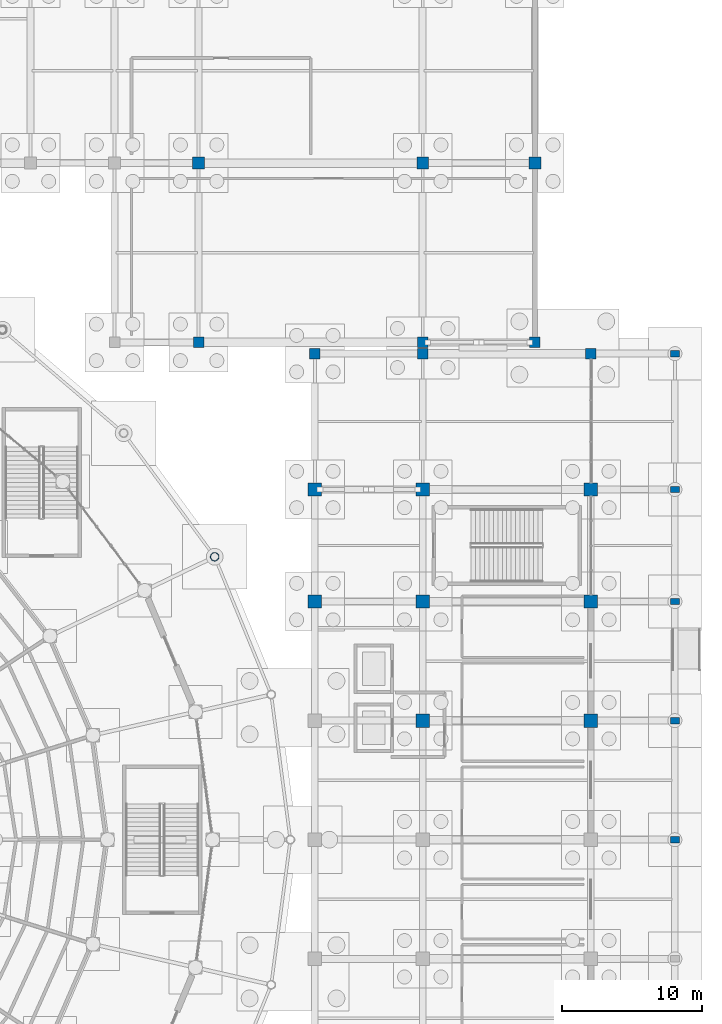
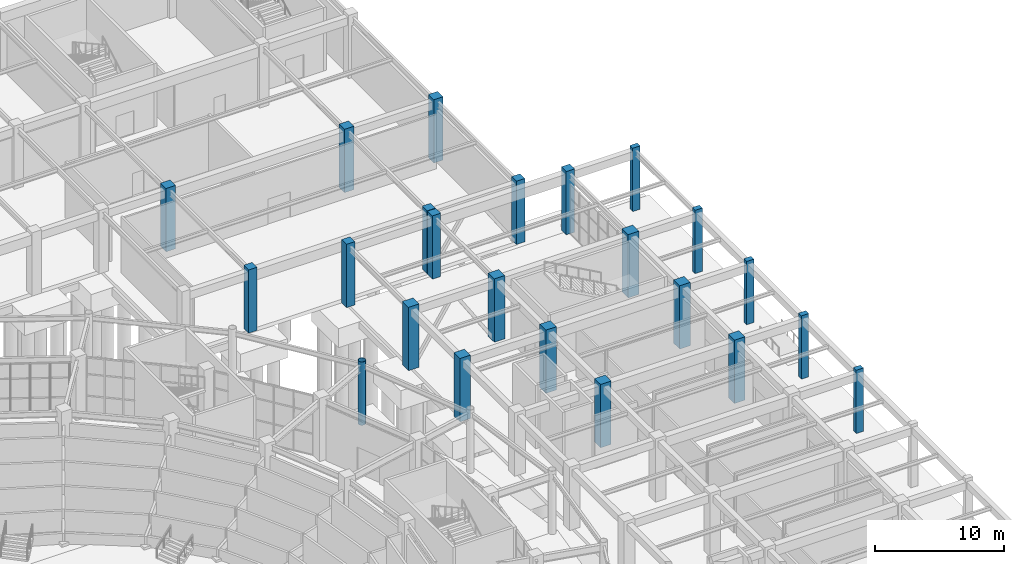
# One storey, part 19 of 121: 23 columns.
"""IFC4 building model written with IfcOpenShell, lengths in metres."""

from ifc_helpers import new_model, si_unit, direction, frame, origin, origin_2d, place, context, subcontext, project, spatial, rectangle, hollow_circle, extrude, material, material_profile, profile_set, type_object, element, save


model = new_model("IFC4")

# Units and contexts
model_context = context("Model", 3, precision=1e-05, world=origin(), true_north=direction((0.0, 1.0)))
body_context = subcontext(model_context, "Body", "Model", "MODEL_VIEW")
ifc_project = project(units=[si_unit("LENGTHUNIT", "METRE"), si_unit("AREAUNIT", "SQUARE_METRE"), si_unit("VOLUMEUNIT", "CUBIC_METRE"), si_unit("PLANEANGLEUNIT", "RADIAN"), si_unit("MASSUNIT", "GRAM", prefix="KILO")], contexts=[model_context])

# Site, building, storey
site_placement = place(None, origin())
site = spatial("IfcSite", under=ifc_project, at=site_placement, CompositionType="ELEMENT")
building_placement = place(site_placement, origin())
building = spatial("IfcBuilding", under=site, at=building_placement, Name="Cuetzalor Civic Arena", CompositionType="ELEMENT")
storey_placement = place(building_placement, origin())
storey = spatial("IfcBuildingStorey", under=building, at=storey_placement, Name="L00", CompositionType="ELEMENT", Elevation=0.0)

# Columns
ifc_material_1 = material(Name="Concrete C40/50", Category="concrete")
ifc_material_profile_1 = material_profile(ifc_material_1, rectangle(XDim=0.64990234375, YDim=0.449951171875, at=origin_2d()), Name="RC 650x450")
ifc_profile_set_1 = profile_set([ifc_material_profile_1], Name="Concrete C40/50")
column_type_1 = type_object("IfcColumnType", Name="ArcadePilaster_650x450", PredefinedType="PILASTER", material=ifc_profile_set_1)
for number, where, z_axis, x_axis, name in (
    (1, (82.0, 0.0, 0.0), (0.0, 0.0, 1.0), (1.0, 0.0, 0.0), "Column V4E-C-04-07 L00"),
    (2, (82.0, 8.5, 0.0), (0.0, 0.0, 1.0), (1.0, 0.0, 0.0), "Column V4E-C-04-08 L00"),
    (3, (82.0, 17.0, 0.0), (0.0, 0.0, 1.0), (1.0, 0.0, 0.0), "Column V4E-C-04-09 L00"),
    (4, (82.0, 25.0, 0.0), (0.0, 0.0, 1.0), (1.0, 0.0, 0.0), "Column V4E-C-04-10 L00"),
    (5, (82.0, 34.699951171875, 0.0), (0.0, 0.0, 1.0), (1.0, 0.0, 0.0), "Column V4E-C-04-11 L00"),
):
    element("IfcColumn", number, at=place(storey_placement, frame(where, z_axis=z_axis, x_axis=x_axis)), inside=storey, type_object=column_type_1, Name=name, PredefinedType="PILASTER", context=body_context, shape_type="SweptSolid", body=[
        extrude(rectangle(XDim=0.64990234375, YDim=0.449951171875, at=origin_2d()), origin(), (0.0, 0.0, 1.0), 6.0),
    ])
ifc_material_2 = material(Name="Concrete C40/50", Category="concrete")
ifc_material_profile_2 = material_profile(ifc_material_2, rectangle(XDim=0.75, YDim=0.75, at=origin_2d()), Name="RC 750x750")
ifc_profile_set_2 = profile_set([ifc_material_profile_2], Name="Concrete C40/50")
column_type_2 = type_object("IfcColumnType", Name="ConcreteColumn_750", PredefinedType="COLUMN", material=ifc_profile_set_2)
for number, where, z_axis, x_axis, name in (
    (6, (56.300048828125, 34.699951171875, 0.0), (0.0, 0.0, 1.0), (1.0, 0.0, 0.0), "Column V4E-C-01-11 L00"),
    (7, (64.0, 34.699951171875, 0.0), (0.0, 0.0, 1.0), (1.0, 0.0, 0.0), "Column V4E-C-02-11 L00"),
    (8, (76.0, 34.699951171875, 0.0), (0.0, 0.0, 1.0), (1.0, 0.0, 0.0), "Column V4E-C-03-11 L00"),
    (9, (48.0, 35.5, 0.0), (0.0, 0.0, 1.0), (1.0, 0.0, 0.0), "Column V5-C-13-01 L00"),
    (10, (64.0, 35.5, 0.0), (0.0, 0.0, 1.0), (1.0, 0.0, 0.0), "Column V5-C-14-01 L00"),
    (11, (72.0, 35.5, 0.0), (0.0, 0.0, 1.0), (1.0, 0.0, 0.0), "Column V5-C-15-01 L00"),
):
    element("IfcColumn", number, at=place(storey_placement, frame(where, z_axis=z_axis, x_axis=x_axis)), inside=storey, type_object=column_type_2, Name=name, PredefinedType="COLUMN", context=body_context, shape_type="SweptSolid", body=[
        extrude(rectangle(XDim=0.75, YDim=0.75, at=origin_2d()), origin(), (0.0, 0.0, 1.0), 6.0),
    ])
ifc_material_3 = material(Name="Concrete C40/50", Category="concrete")
ifc_material_profile_3 = material_profile(ifc_material_3, rectangle(XDim=0.85009765625, YDim=0.85009765625, at=origin_2d()), Name="RC 850x850")
ifc_profile_set_3 = profile_set([ifc_material_profile_3], Name="Concrete C40/50")
column_type_3 = type_object("IfcColumnType", Name="ConcreteColumn_850", PredefinedType="COLUMN", material=ifc_profile_set_3)
for number, where, z_axis, x_axis, name in (
    (12, (48.0, 48.300048828125, 0.0), (0.0, 0.0, 1.0), (1.0, 0.0, 0.0), "Column V5-C-13-02 L00"),
    (13, (64.0, 48.300048828125, 0.0), (0.0, 0.0, 1.0), (1.0, 0.0, 0.0), "Column V5-C-14-02 L00"),
    (14, (72.0, 48.300048828125, 0.0), (0.0, 0.0, 1.0), (1.0, 0.0, 0.0), "Column V5-C-15-02 L00"),
):
    element("IfcColumn", number, at=place(storey_placement, frame(where, z_axis=z_axis, x_axis=x_axis)), inside=storey, type_object=column_type_3, Name=name, PredefinedType="COLUMN", context=body_context, shape_type="SweptSolid", body=[
        extrude(rectangle(XDim=0.85009765625, YDim=0.85009765625, at=origin_2d()), origin(), (0.0, 0.0, 1.0), 6.0),
    ])
ifc_material_4 = material(Name="Concrete C40/50", Category="concrete")
ifc_material_profile_4 = material_profile(ifc_material_4, rectangle(XDim=0.949951171875, YDim=0.949951171875, at=origin_2d()), Name="RC 950x950")
ifc_profile_set_4 = profile_set([ifc_material_profile_4], Name="Concrete C40/50")
column_type_4 = type_object("IfcColumnType", Name="ConcreteColumn_950", PredefinedType="COLUMN", material=ifc_profile_set_4)
for number, where, z_axis, x_axis, name in (
    (15, (56.300048828125, 17.0, 0.0), (0.0, 0.0, 1.0), (1.0, 0.0, 0.0), "Column V4E-C-01-09 L00"),
    (16, (56.300048828125, 25.0, 0.0), (0.0, 0.0, 1.0), (1.0, 0.0, 0.0), "Column V4E-C-01-10 L00"),
    (17, (64.0, 8.5, 0.0), (0.0, 0.0, 1.0), (1.0, 0.0, 0.0), "Column V4E-C-02-08 L00"),
    (18, (64.0, 17.0, 0.0), (0.0, 0.0, 1.0), (1.0, 0.0, 0.0), "Column V4E-C-02-09 L00"),
    (19, (64.0, 25.0, 0.0), (0.0, 0.0, 1.0), (1.0, 0.0, 0.0), "Column V4E-C-02-10 L00"),
    (20, (76.0, 8.5, 0.0), (0.0, 0.0, 1.0), (1.0, 0.0, 0.0), "Column V4E-C-03-08 L00"),
    (21, (76.0, 17.0, 0.0), (0.0, 0.0, 1.0), (1.0, 0.0, 0.0), "Column V4E-C-03-09 L00"),
    (22, (76.0, 25.0, 0.0), (0.0, 0.0, 1.0), (1.0, 0.0, 0.0), "Column V4E-C-03-10 L00"),
):
    element("IfcColumn", number, at=place(storey_placement, frame(where, z_axis=z_axis, x_axis=x_axis)), inside=storey, type_object=column_type_4, Name=name, PredefinedType="COLUMN", context=body_context, shape_type="SweptSolid", body=[
        extrude(rectangle(XDim=0.949951171875, YDim=0.949951171875, at=origin_2d()), origin(), (0.0, 0.0, 1.0), 6.0),
    ])
ifc_material_5 = material(Name="Steel S355", Category="steel")
ifc_material_profile_5 = material_profile(ifc_material_5, hollow_circle(Radius=0.304931640625, WallThickness=0.02490234375, at=origin_2d()), Name="CHS 610x25")
ifc_profile_set_5 = profile_set([ifc_material_profile_5], Name="Steel S355")
column_type_5 = type_object("IfcColumnType", Name="SteelDomePylon_CHS610", PredefinedType="COLUMN", material=ifc_profile_set_5)
column_placement = place(storey_placement, frame((49.14794921875, 20.197265625, 0.0), z_axis=(0.0, 0.0, 1.0), x_axis=(1.0, 0.0, 0.0)))
element("IfcColumn", 23, at=column_placement, inside=storey, type_object=column_type_5, Name="Column V1-PYL-03 L00", PredefinedType="COLUMN", context=body_context, shape_type="SweptSolid", body=[
    extrude(hollow_circle(Radius=0.304931640625, WallThickness=0.02490234375, at=origin_2d()), origin(), (0.0, 0.0, 1.0), 6.0),
])

save(model, "model.ifc")
